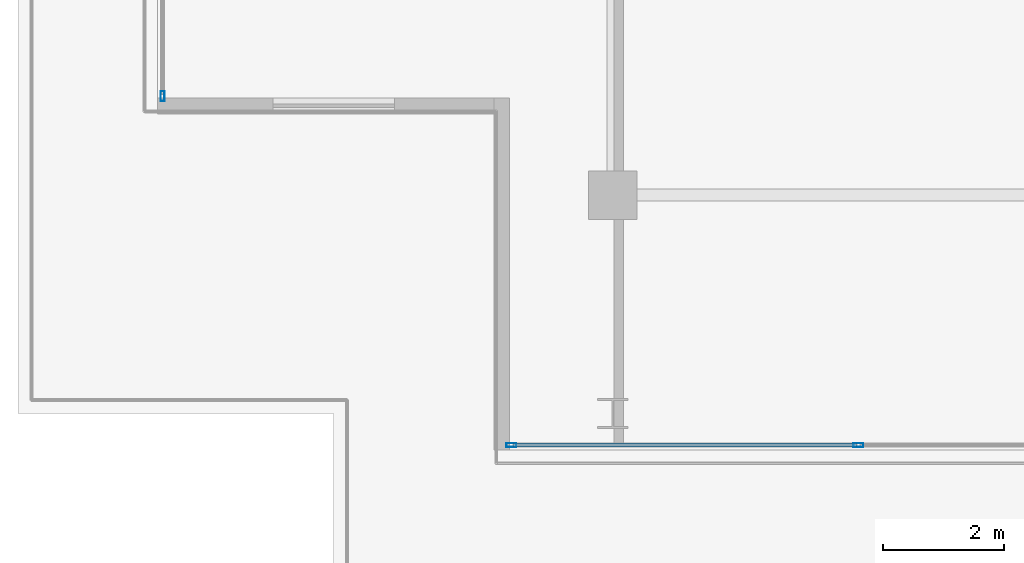
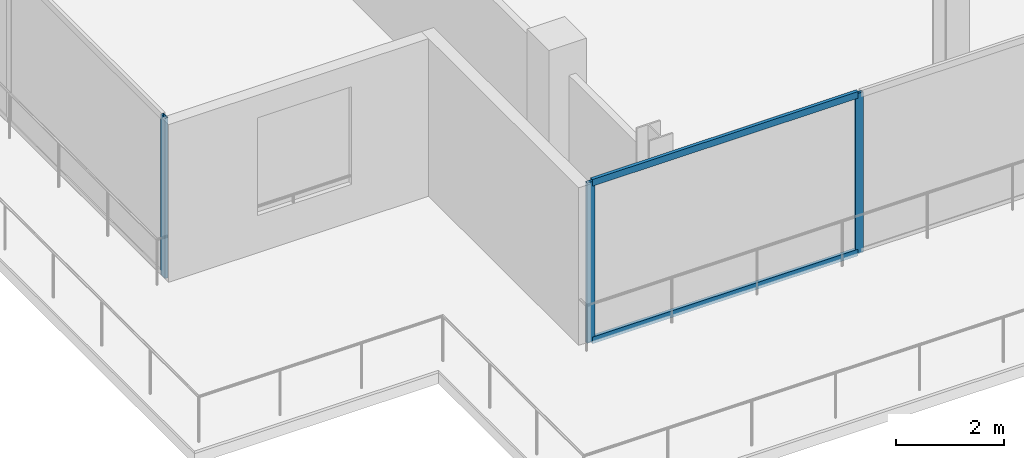
# One storey, part 2 of 21: 5 members, 2 elements without a shape of their own.
"""IFC4 building model written with IfcOpenShell, lengths in metres."""

from ifc_helpers import new_model, si_unit, direction, frame, origin, origin_2d, place, context, subcontext, project, spatial, hollow_rectangle, extrude, material, layer, layer_set, material_profile, profile_set, type_object, element, aggregate, save


model = new_model("IFC4")

# Units and contexts
model_context = context("Model", 3, precision=1e-05, world=origin(), true_north=direction((0.0, 1.0)))
body_context = subcontext(model_context, "Body", "Model", "MODEL_VIEW")
ifc_project = project(units=[si_unit("LENGTHUNIT", "METRE"), si_unit("AREAUNIT", "SQUARE_METRE"), si_unit("VOLUMEUNIT", "CUBIC_METRE"), si_unit("PLANEANGLEUNIT", "RADIAN"), si_unit("MASSUNIT", "GRAM", prefix="KILO")], contexts=[model_context])

# Site, building, storey
site_placement = place(None, origin())
site = spatial("IfcSite", under=ifc_project, at=site_placement, CompositionType="ELEMENT")
building_placement = place(site_placement, origin())
building = spatial("IfcBuilding", under=site, at=building_placement, Name="Maruvema Waterfront Hotel and Observation Tower", CompositionType="ELEMENT")
storey_placement = place(building_placement, frame((0.0, 0.0, 322.0)))
storey = spatial("IfcBuildingStorey", under=building, at=storey_placement, Name="L79", CompositionType="ELEMENT", Elevation=322.0)

# Curtain wall, members
ifc_material_1 = material(Name="Anodised bronze aluminium and solar-control low-E IGU", Category="aluminium")
ifc_layer = layer(ifc_material_1, 0.159912109375, Name="Zone 4 Sky Residence Inner Curtain Wall System CW-05")
ifc_layer_set = layer_set([ifc_layer], Name="Anodised bronze aluminium and solar-control low-E IGU")
curtain_wall_type = type_object("IfcCurtainWallType", Name="Zone 4 Sky Residence Inner Curtain Wall System CW-05", PredefinedType="USERDEFINED", material=ifc_layer_set)
curtain_wall_1_placement = place(storey_placement, origin())
curtain_wall_1 = element("IfcCurtainWall", 1, at=curtain_wall_1_placement, inside=storey, type_object=curtain_wall_type, Name="L79 Curtain Wall CW-L79-SW", ObjectType="UNITISED CURTAIN WALL", PredefinedType="USERDEFINED")
ifc_material_2 = material(Name="Anodised architectural bronze aluminium", Category="aluminium")
ifc_material_profile_1 = material_profile(ifc_material_2, hollow_rectangle(XDim=0.070068359375, YDim=0.14990234375, WallThickness=0.00390625, at=origin_2d()), Name="ALU-T70x150")
ifc_profile_set_1 = profile_set([ifc_material_profile_1], Name="Anodised architectural bronze aluminium")
member_type_1 = type_object("IfcMemberType", Name="Curtain Wall Horizontal Transom ALU-T70x150", PredefinedType="USERDEFINED", material=ifc_profile_set_1)
member_1_placement = place(storey_placement, frame((23.56005859375, 13.8798828125, 0.030029296875), z_axis=(1.0, 0.0, 0.0), x_axis=(0.0, 1.0, 0.0)))
member_1 = element("IfcMember", 2, at=member_1_placement, type_object=member_type_1, Name="CW-05 transom 1.1", ObjectType="TRANSOM", PredefinedType="USERDEFINED", context=body_context, shape_type="SweptSolid", body=[
    extrude(hollow_rectangle(XDim=0.070068359375, YDim=0.14990234375, WallThickness=0.00390625, at=origin_2d()), origin(), (0.0, 0.0, 1.0), 5.659912109375),
])
member_2_placement = place(storey_placement, frame((23.56005859375, 13.8798828125, 3.580078125), z_axis=(1.0, 0.0, 0.0), x_axis=(0.0, 1.0, 0.0)))
member_2 = element("IfcMember", 3, at=member_2_placement, type_object=member_type_1, Name="CW-05 transom 1.2", ObjectType="TRANSOM", PredefinedType="USERDEFINED", context=body_context, shape_type="SweptSolid", body=[
    extrude(hollow_rectangle(XDim=0.070068359375, YDim=0.14990234375, WallThickness=0.00390625, at=origin_2d()), origin(), (0.0, 0.0, 1.0), 5.659912109375),
])
ifc_material_3 = material(Name="Anodised architectural bronze aluminium", Category="aluminium")
ifc_material_profile_2 = material_profile(ifc_material_3, hollow_rectangle(XDim=0.06494140625, YDim=0.1650390625, WallThickness=0.00390625, at=origin_2d()), Name="ALU-M65x165")
ifc_profile_set_2 = profile_set([ifc_material_profile_2], Name="Anodised architectural bronze aluminium")
member_type_2 = type_object("IfcMemberType", Name="Curtain Wall Primary Mullion ALU-M65x165", PredefinedType="MULLION", material=ifc_profile_set_2)
member_3_placement = place(storey_placement, frame((23.530029296875, 13.8798828125, 0.0), z_axis=(0.0, 0.0, 1.0), x_axis=(0.0, 1.0, 0.0)))
member_3 = element("IfcMember", 4, at=member_3_placement, type_object=member_type_2, Name="CW-05 mullion 1", PredefinedType="MULLION", context=body_context, shape_type="SweptSolid", body=[
    extrude(hollow_rectangle(XDim=0.06494140625, YDim=0.1650390625, WallThickness=0.00390625, at=origin_2d()), origin(), (0.0, 0.0, 1.0), 3.610107421875),
])
member_4_placement = place(storey_placement, frame((29.25, 13.8798828125, 0.0), z_axis=(0.0, 0.0, 1.0), x_axis=(0.0, 1.0, 0.0)))
member_4 = element("IfcMember", 5, at=member_4_placement, type_object=member_type_2, Name="CW-05 mullion 2", PredefinedType="MULLION", context=body_context, shape_type="SweptSolid", body=[
    extrude(hollow_rectangle(XDim=0.06494140625, YDim=0.1650390625, WallThickness=0.00390625, at=origin_2d()), origin(), (0.0, 0.0, 1.0), 3.610107421875),
])
aggregate(curtain_wall_1, [member_3, member_4, member_1, member_2])

# Curtain wall, member
curtain_wall_2_placement = place(storey_placement, origin())
curtain_wall_2 = element("IfcCurtainWall", 6, at=curtain_wall_2_placement, inside=storey, type_object=curtain_wall_type, Name="L79 Curtain Wall CW-L79-W", ObjectType="UNITISED CURTAIN WALL", PredefinedType="USERDEFINED")
member_5_placement = place(storey_placement, frame((17.780029296875, 19.6298828125, 0.0), z_axis=(0.0, 0.0, 1.0), x_axis=(1.0, 0.0, 0.0)))
member_5 = element("IfcMember", 7, at=member_5_placement, type_object=member_type_2, Name="CW-05 mullion 6", PredefinedType="MULLION", context=body_context, shape_type="SweptSolid", body=[
    extrude(hollow_rectangle(XDim=0.06494140625, YDim=0.1650390625, WallThickness=0.00390625, at=origin_2d()), origin(), (0.0, 0.0, 1.0), 3.610107421875),
])
aggregate(curtain_wall_2, [member_5])

save(model, "model.ifc")
